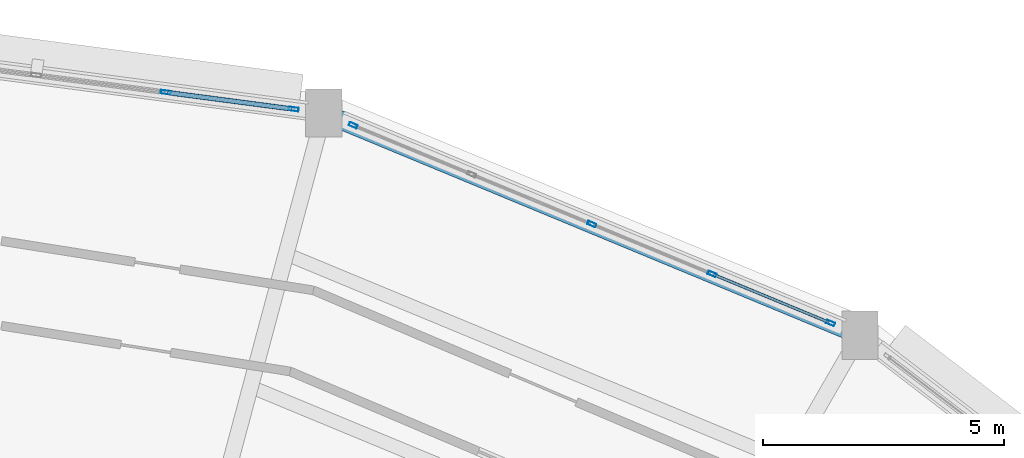
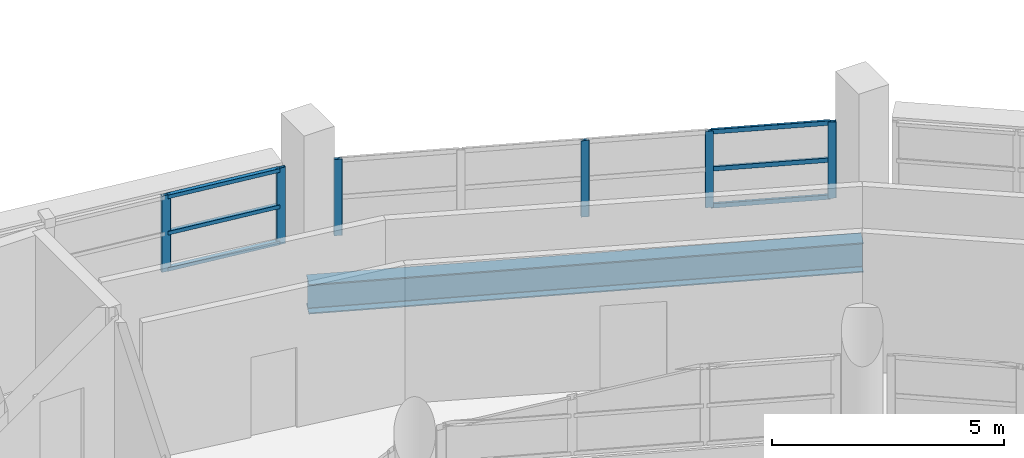
# One storey, part 57 of 88: 12 members, 1 beam, 2 elements without a shape of their own.
"""IFC4 building model written with IfcOpenShell, lengths in metres."""

from ifc_helpers import new_model, si_unit, direction, frame, origin, origin_2d, place, context, subcontext, project, spatial, hollow_rectangle, i_section, extrude, material, layer, layer_set, material_profile, profile_set, type_object, element, aggregate, save


model = new_model("IFC4")

# Units and contexts
model_context = context("Model", 3, precision=1e-05, world=origin(), true_north=direction((0.0, 1.0)))
body_context = subcontext(model_context, "Body", "Model", "MODEL_VIEW")
ifc_project = project(units=[si_unit("LENGTHUNIT", "METRE"), si_unit("AREAUNIT", "SQUARE_METRE"), si_unit("VOLUMEUNIT", "CUBIC_METRE"), si_unit("PLANEANGLEUNIT", "RADIAN"), si_unit("MASSUNIT", "GRAM", prefix="KILO")], contexts=[model_context])

# Site, building, storey
site_placement = place(None, origin())
site = spatial("IfcSite", under=ifc_project, at=site_placement, CompositionType="ELEMENT")
building_placement = place(site_placement, origin())
building = spatial("IfcBuilding", under=site, at=building_placement, Name="Vespera Passage Community Centre", CompositionType="ELEMENT")
storey_placement = place(building_placement, frame((0.0, 0.0, 16.5)))
storey = spatial("IfcBuildingStorey", under=building, at=storey_placement, Name="L04", CompositionType="ELEMENT", Elevation=16.5)

# Beam
ifc_material_1 = material(Name="Steel ASTM A992 Grade 50", Category="steel")
ifc_material_profile_1 = material_profile(ifc_material_1, i_section(OverallWidth=0.382080078125, OverallDepth=0.779296875, WebThickness=0.01806640625, FlangeThickness=0.030029296875, FilletRadius=0.0166015625, at=origin_2d()), Name="W30X191")
ifc_profile_set_1 = profile_set([ifc_material_profile_1], Name="Steel ASTM A992 Grade 50")
beam_type = type_object("IfcBeamType", Name="BM-SP-W30X191E", PredefinedType="SPANDREL", material=ifc_profile_set_1)
beam_placement = place(storey_placement, frame((101.050048828125, 105.423828125, -0.689697265625), z_axis=(-0.923877379647, 0.382688629799, 0.0), x_axis=(-0.382688629799, -0.923877379647, 0.0)))
element("IfcBeam", 1, at=beam_placement, inside=storey, type_object=beam_type, Name="V4 L04 Outer Spandrel 4", PredefinedType="SPANDREL", context=body_context, shape_type="SweptSolid", body=[
    extrude(i_section(OverallWidth=0.382080078125, OverallDepth=0.779296875, WebThickness=0.01806640625, FlangeThickness=0.030029296875, FilletRadius=0.0166015625, at=origin_2d()), origin(), (0.0, 0.0, 1.0), 12.034423828125),
])

# Curtain wall, members
ifc_material_2 = material(Name="Anodized aluminium 6063-T6", Category="aluminium")
ifc_layer_1 = layer(ifc_material_2, 0.159912109375)
ifc_layer_set_1 = layer_set([ifc_layer_1], Name="Anodized aluminium 6063-T6")
curtain_wall_type_1 = type_object("IfcCurtainWallType", Name="CW-55E", PredefinedType="NOTDEFINED", material=ifc_layer_set_1)
curtain_wall_1_placement = place(storey_placement, origin())
curtain_wall_1 = element("IfcCurtainWall", 2, at=curtain_wall_1_placement, inside=storey, type_object=curtain_wall_type_1, Name="V4 L04 Outer Ribbon Curtain Wall 4", PredefinedType="NOTDEFINED")
ifc_material_3 = material(Name="Anodized aluminium 6063-T6", Category="aluminium")
ifc_material_profile_2 = material_profile(ifc_material_3, hollow_rectangle(XDim=0.074951171875, YDim=0.179931640625, WallThickness=0.0048828125, InnerFilletRadius=0.00244140625, OuterFilletRadius=0.0048828125, at=origin_2d()), Name="ALU180X75X5")
ifc_profile_set_2 = profile_set([ifc_material_profile_2], Name="Anodized aluminium 6063-T6")
member_type_1 = type_object("IfcMemberType", Name="MB-CWM-180E", PredefinedType="MULLION", material=ifc_profile_set_2)
member_1_placement = place(storey_placement, frame((90.539794921875, 109.77734375, 0.820068359375), z_axis=(0.0, 0.0, 1.0), x_axis=(0.382682936255, 0.923879738007, 0.0)))
member_1 = element("IfcMember", 3, at=member_1_placement, type_object=member_type_1, Name="CW-55E mullion 1", PredefinedType="MULLION", context=body_context, shape_type="SweptSolid", body=[
    extrude(hollow_rectangle(XDim=0.074951171875, YDim=0.179931640625, WallThickness=0.0048828125, InnerFilletRadius=0.00244140625, OuterFilletRadius=0.0048828125, at=origin_2d()), origin(), (0.0, 0.0, 1.0), 2.005615234375),
])
member_2_placement = place(storey_placement, frame((95.49072265625, 107.7265625, 0.820068359375), z_axis=(0.0, 0.0, 1.0), x_axis=(0.382682936255, 0.923879738007, 0.0)))
member_2 = element("IfcMember", 4, at=member_2_placement, type_object=member_type_1, Name="CW-55E mullion 3", PredefinedType="MULLION", context=body_context, shape_type="SweptSolid", body=[
    extrude(hollow_rectangle(XDim=0.074951171875, YDim=0.179931640625, WallThickness=0.0048828125, InnerFilletRadius=0.00244140625, OuterFilletRadius=0.0048828125, at=origin_2d()), origin(), (0.0, 0.0, 1.0), 2.005615234375),
])
member_3_placement = place(storey_placement, frame((97.983642578125, 106.69384765625, 0.820068359375), z_axis=(0.0, 0.0, 1.0), x_axis=(0.382682936255, 0.923879738007, 0.0)))
member_3 = element("IfcMember", 5, at=member_3_placement, type_object=member_type_1, Name="CW-55E mullion 4", PredefinedType="MULLION", context=body_context, shape_type="SweptSolid", body=[
    extrude(hollow_rectangle(XDim=0.074951171875, YDim=0.179931640625, WallThickness=0.0048828125, InnerFilletRadius=0.00244140625, OuterFilletRadius=0.0048828125, at=origin_2d()), origin(), (0.0, 0.0, 1.0), 2.005615234375),
])
member_4_placement = place(storey_placement, frame((100.441650390625, 105.67578125, 0.820068359375), z_axis=(0.0, 0.0, 1.0), x_axis=(0.382682936255, 0.923879738007, 0.0)))
member_4 = element("IfcMember", 6, at=member_4_placement, type_object=member_type_1, Name="CW-55E mullion 5", PredefinedType="MULLION", context=body_context, shape_type="SweptSolid", body=[
    extrude(hollow_rectangle(XDim=0.074951171875, YDim=0.179931640625, WallThickness=0.0048828125, InnerFilletRadius=0.00244140625, OuterFilletRadius=0.0048828125, at=origin_2d()), origin(), (0.0, 0.0, 1.0), 2.005615234375),
])

ifc_material_4 = material(Name="Anodized aluminium 6063-T6", Category="aluminium")
ifc_layer_2 = layer(ifc_material_4, 0.159912109375)
ifc_layer_set_2 = layer_set([ifc_layer_2], Name="Anodized aluminium 6063-T6")
curtain_wall_type_2 = type_object("IfcCurtainWallType", Name="CW-57E", PredefinedType="NOTDEFINED", material=ifc_layer_set_2)
curtain_wall_2_placement = place(storey_placement, origin())
curtain_wall_2 = element("IfcCurtainWall", 7, at=curtain_wall_2_placement, inside=storey, type_object=curtain_wall_type_2, Name="V4 L04 Outer Ribbon Curtain Wall 5", PredefinedType="NOTDEFINED")
ifc_material_5 = material(Name="Anodized aluminium 6063-T6", Category="aluminium")
ifc_material_profile_3 = material_profile(ifc_material_5, hollow_rectangle(XDim=0.074951171875, YDim=0.2099609375, WallThickness=0.0048828125, InnerFilletRadius=0.00244140625, OuterFilletRadius=0.0048828125, at=origin_2d()), Name="ALU210X75X5")
ifc_profile_set_3 = profile_set([ifc_material_profile_3], Name="Anodized aluminium 6063-T6")
member_type_2 = type_object("IfcMemberType", Name="MB-CWM-210E", PredefinedType="MULLION", material=ifc_profile_set_3)
member_5_placement = place(storey_placement, frame((86.654541015625, 110.460693359375, 0.820068359375), z_axis=(0.0, 0.0, 1.0), x_axis=(0.130530818696, 0.991444252276, 0.0)))
member_5 = element("IfcMember", 8, at=member_5_placement, type_object=member_type_2, Name="CW-57E mullion 4", PredefinedType="MULLION", context=body_context, shape_type="SweptSolid", body=[
    extrude(hollow_rectangle(XDim=0.074951171875, YDim=0.2099609375, WallThickness=0.0048828125, InnerFilletRadius=0.00244140625, OuterFilletRadius=0.0048828125, at=origin_2d()), origin(), (0.0, 0.0, 1.0), 2.005615234375),
])
member_6_placement = place(storey_placement, frame((89.30615234375, 110.111572265625, 0.820068359375), z_axis=(0.0, 0.0, 1.0), x_axis=(0.130530818696, 0.991444252276, 0.0)))
member_6 = element("IfcMember", 9, at=member_6_placement, type_object=member_type_2, Name="CW-57E mullion 5", PredefinedType="MULLION", context=body_context, shape_type="SweptSolid", body=[
    extrude(hollow_rectangle(XDim=0.074951171875, YDim=0.2099609375, WallThickness=0.0048828125, InnerFilletRadius=0.00244140625, OuterFilletRadius=0.0048828125, at=origin_2d()), origin(), (0.0, 0.0, 1.0), 2.005615234375),
])
ifc_material_6 = material(Name="Anodized aluminium 6063-T6", Category="aluminium")
ifc_material_profile_4 = material_profile(ifc_material_6, hollow_rectangle(XDim=0.10009765625, YDim=0.10009765625, WallThickness=0.00390625, InnerFilletRadius=0.001953125, OuterFilletRadius=0.00390625, at=origin_2d()), Name="ALU100X100X4")
ifc_profile_set_4 = profile_set([ifc_material_profile_4], Name="Anodized aluminium 6063-T6")
member_type_3 = type_object("IfcMemberType", Name="MB-CWT-100E", PredefinedType="USERDEFINED", material=ifc_profile_set_4)
member_7_placement = place(storey_placement, frame((86.69189453125, 110.455810546875, 0.8701171875), z_axis=(0.991441503566, -0.130551694767, 0.0), x_axis=(0.130551694767, 0.991441503566, 0.0)))
member_7 = element("IfcMember", 10, at=member_7_placement, type_object=member_type_3, Name="CW-57E transom 4.1", ObjectType="TRANSOM", PredefinedType="USERDEFINED", context=body_context, shape_type="SweptSolid", body=[
    extrude(hollow_rectangle(XDim=0.10009765625, YDim=0.10009765625, WallThickness=0.00390625, InnerFilletRadius=0.001953125, OuterFilletRadius=0.00390625, at=origin_2d()), origin(), (0.0, 0.0, 1.0), 2.599365234375),
])
member_8_placement = place(storey_placement, frame((86.69189453125, 110.455810546875, 1.82275390625), z_axis=(0.991441503566, -0.130551694767, 0.0), x_axis=(0.130551694767, 0.991441503566, 0.0)))
member_8 = element("IfcMember", 11, at=member_8_placement, type_object=member_type_3, Name="CW-57E transom 4.2", ObjectType="TRANSOM", PredefinedType="USERDEFINED", context=body_context, shape_type="SweptSolid", body=[
    extrude(hollow_rectangle(XDim=0.10009765625, YDim=0.10009765625, WallThickness=0.00390625, InnerFilletRadius=0.001953125, OuterFilletRadius=0.00390625, at=origin_2d()), origin(), (0.0, 0.0, 1.0), 2.599365234375),
])
member_9_placement = place(storey_placement, frame((86.69189453125, 110.455810546875, 2.775634765625), z_axis=(0.991441503566, -0.130551694767, 0.0), x_axis=(0.130551694767, 0.991441503566, 0.0)))
member_9 = element("IfcMember", 12, at=member_9_placement, type_object=member_type_3, Name="CW-57E transom 4.3", ObjectType="TRANSOM", PredefinedType="USERDEFINED", context=body_context, shape_type="SweptSolid", body=[
    extrude(hollow_rectangle(XDim=0.10009765625, YDim=0.10009765625, WallThickness=0.00390625, InnerFilletRadius=0.001953125, OuterFilletRadius=0.00390625, at=origin_2d()), origin(), (0.0, 0.0, 1.0), 2.599365234375),
])
aggregate(curtain_wall_2, [member_5, member_6, member_7, member_8, member_9])

# Member
ifc_material_7 = material(Name="Anodized aluminium 6063-T6", Category="aluminium")
ifc_material_profile_5 = material_profile(ifc_material_7, hollow_rectangle(XDim=0.06005859375, YDim=0.1201171875, WallThickness=0.00390625, InnerFilletRadius=0.001953125, OuterFilletRadius=0.00390625, at=origin_2d()), Name="ALU120X60X4")
ifc_profile_set_5 = profile_set([ifc_material_profile_5], Name="Anodized aluminium 6063-T6")
member_type_4 = type_object("IfcMemberType", Name="MB-CWT-120E", PredefinedType="USERDEFINED", material=ifc_profile_set_5)
member_10_placement = place(storey_placement, frame((98.018310546875, 106.6796875, 0.85009765625), z_axis=(0.923882193286, -0.382677008624, 0.0), x_axis=(0.382677008624, 0.923882193286, 0.0)))
member_10 = element("IfcMember", 13, at=member_10_placement, type_object=member_type_4, Name="CW-55E transom 4.1", ObjectType="TRANSOM", PredefinedType="USERDEFINED", context=body_context, shape_type="SweptSolid", body=[
    extrude(hollow_rectangle(XDim=0.06005859375, YDim=0.1201171875, WallThickness=0.00390625, InnerFilletRadius=0.001953125, OuterFilletRadius=0.00390625, at=origin_2d()), origin(), (0.0, 0.0, 1.0), 2.585693359375),
])

member_11_placement = place(storey_placement, frame((98.018310546875, 106.6796875, 1.82275390625), z_axis=(0.923882193286, -0.382677008624, 0.0), x_axis=(0.382677008624, 0.923882193286, 0.0)))
member_11 = element("IfcMember", 14, at=member_11_placement, type_object=member_type_4, Name="CW-55E transom 4.2", ObjectType="TRANSOM", PredefinedType="USERDEFINED", context=body_context, shape_type="SweptSolid", body=[
    extrude(hollow_rectangle(XDim=0.06005859375, YDim=0.1201171875, WallThickness=0.00390625, InnerFilletRadius=0.001953125, OuterFilletRadius=0.00390625, at=origin_2d()), origin(), (0.0, 0.0, 1.0), 2.585693359375),
])

member_12_placement = place(storey_placement, frame((98.018310546875, 106.6796875, 2.795654296875), z_axis=(0.923882193286, -0.382677008624, 0.0), x_axis=(0.382677008624, 0.923882193286, 0.0)))
member_12 = element("IfcMember", 15, at=member_12_placement, type_object=member_type_4, Name="CW-55E transom 4.3", ObjectType="TRANSOM", PredefinedType="USERDEFINED", context=body_context, shape_type="SweptSolid", body=[
    extrude(hollow_rectangle(XDim=0.06005859375, YDim=0.1201171875, WallThickness=0.00390625, InnerFilletRadius=0.001953125, OuterFilletRadius=0.00390625, at=origin_2d()), origin(), (0.0, 0.0, 1.0), 2.585693359375),
])

aggregate(curtain_wall_1, [member_1, member_2, member_3, member_4, member_10, member_11, member_12])

save(model, "model.ifc")
